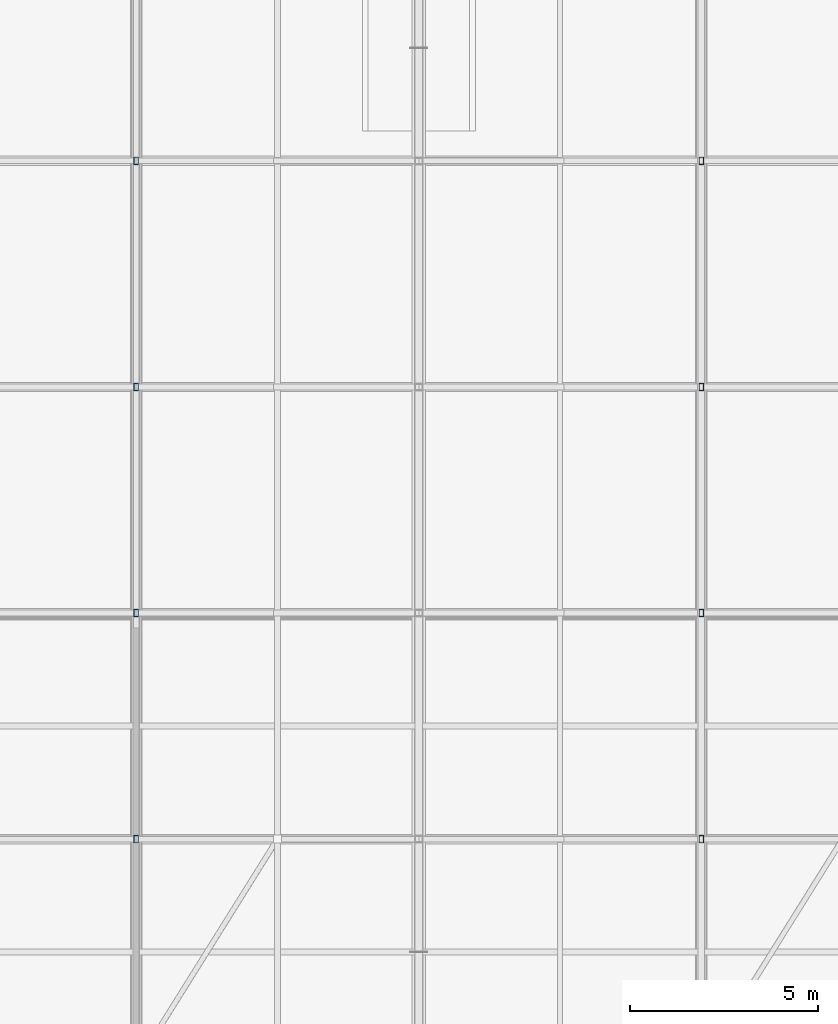
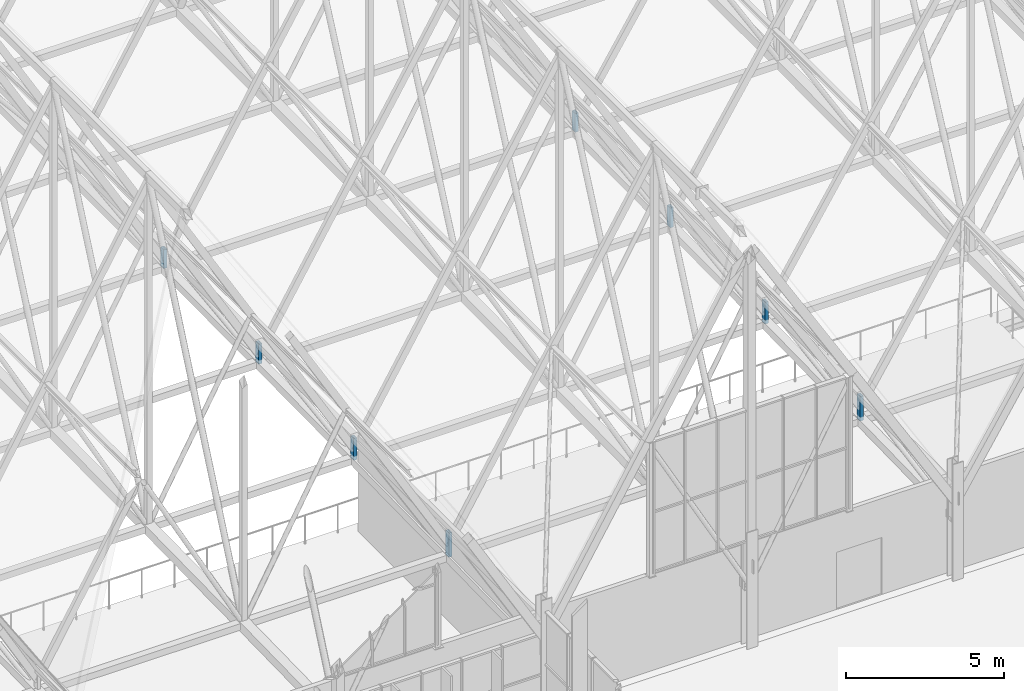
# One storey, part 257 of 324: 8 members.
"""IFC4 building model written with IfcOpenShell, lengths in metres."""

from ifc_helpers import new_model, si_unit, direction, frame, origin, origin_2d, place, context, subcontext, project, spatial, hollow_rectangle, extrude, material, material_profile, profile_set, type_object, element, save


model = new_model("IFC4")

# Units and contexts
model_context = context("Model", 3, precision=1e-05, world=origin(), true_north=direction((0.0, 1.0)))
body_context = subcontext(model_context, "Body", "Model", "MODEL_VIEW")
ifc_project = project(units=[si_unit("LENGTHUNIT", "METRE"), si_unit("AREAUNIT", "SQUARE_METRE"), si_unit("VOLUMEUNIT", "CUBIC_METRE"), si_unit("PLANEANGLEUNIT", "RADIAN"), si_unit("MASSUNIT", "GRAM", prefix="KILO")], contexts=[model_context])

# Site, building, storey
site_placement = place(None, origin())
site = spatial("IfcSite", under=ifc_project, at=site_placement, CompositionType="ELEMENT")
building_placement = place(site_placement, origin())
building = spatial("IfcBuilding", under=site, at=building_placement, Name="Solvenia Promenade Tram Depot", CompositionType="ELEMENT")
storey_placement = place(building_placement, frame((0.0, 0.0, 4.5)))
storey = spatial("IfcBuildingStorey", under=building, at=storey_placement, Name="L01", CompositionType="ELEMENT", Elevation=4.5)

# Members
ifc_material = material(Name="Structural steel ASTM A500 Gr. C", Category="steel")
ifc_material_profile = material_profile(ifc_material, hollow_rectangle(XDim=0.1201171875, YDim=0.199951171875, WallThickness=0.008056640625, at=origin_2d()), Name="HSS200x120x8", Category="steel")
ifc_profile_set = profile_set([ifc_material_profile], Name="Structural steel ASTM A500 Gr. C")
member_type = type_object("IfcMemberType", Name="Post-HSS200x120x8", PredefinedType="POST", material=ifc_profile_set)
member_1_placement = place(storey_placement, frame((105.0, 72.0, 2.446044921875), z_axis=(0.0, 0.0, 1.0), x_axis=(1.0, 0.0, 0.0)))
element("IfcMember", 1, at=member_1_placement, inside=storey, type_object=member_type, Name="Arched Truss T15 Web Post S01", PredefinedType="POST", context=body_context, shape_type="SweptSolid", body=[
    extrude(hollow_rectangle(XDim=0.1201171875, YDim=0.199951171875, WallThickness=0.008056640625, at=origin_2d()), origin(), (0.0, 0.0, 1.0), 0.933837890625),
])
member_2_placement = place(storey_placement, frame((105.0, 78.0, 2.5439453125), z_axis=(0.0, 0.0, 1.0), x_axis=(1.0, 0.0, 0.0)))
element("IfcMember", 2, at=member_2_placement, inside=storey, type_object=member_type, Name="Arched Truss T15 Web Post S02", PredefinedType="POST", context=body_context, shape_type="SweptSolid", body=[
    extrude(hollow_rectangle(XDim=0.1201171875, YDim=0.199951171875, WallThickness=0.008056640625, at=origin_2d()), origin(), (0.0, 0.0, 1.0), 0.8359375),
])
member_3_placement = place(storey_placement, frame((105.0, 84.0, 2.614013671875), z_axis=(0.0, 0.0, 1.0), x_axis=(1.0, 0.0, 0.0)))
element("IfcMember", 3, at=member_3_placement, inside=storey, type_object=member_type, Name="Arched Truss T15 Web Post S03", PredefinedType="POST", context=body_context, shape_type="SweptSolid", body=[
    extrude(hollow_rectangle(XDim=0.1201171875, YDim=0.199951171875, WallThickness=0.008056640625, at=origin_2d()), origin(), (0.0, 0.0, 1.0), 0.765869140625),
])
member_4_placement = place(storey_placement, frame((105.0, 90.0, 2.656005859375), z_axis=(0.0, 0.0, 1.0), x_axis=(1.0, 0.0, 0.0)))
element("IfcMember", 4, at=member_4_placement, inside=storey, type_object=member_type, Name="Arched Truss T15 Web Post S04", PredefinedType="POST", context=body_context, shape_type="SweptSolid", body=[
    extrude(hollow_rectangle(XDim=0.1201171875, YDim=0.199951171875, WallThickness=0.008056640625, at=origin_2d()), origin(), (0.0, 0.0, 1.0), 0.723876953125),
])
member_5_placement = place(storey_placement, frame((120.0, 72.0, 2.446044921875), z_axis=(0.0, 0.0, 1.0), x_axis=(1.0, 0.0, 0.0)))
element("IfcMember", 5, at=member_5_placement, inside=storey, type_object=member_type, Name="Arched Truss T17 Web Post S01", PredefinedType="POST", context=body_context, shape_type="SweptSolid", body=[
    extrude(hollow_rectangle(XDim=0.1201171875, YDim=0.199951171875, WallThickness=0.008056640625, at=origin_2d()), origin(), (0.0, 0.0, 1.0), 0.933837890625),
])
member_6_placement = place(storey_placement, frame((120.0, 78.0, 2.5439453125), z_axis=(0.0, 0.0, 1.0), x_axis=(1.0, 0.0, 0.0)))
element("IfcMember", 6, at=member_6_placement, inside=storey, type_object=member_type, Name="Arched Truss T17 Web Post S02", PredefinedType="POST", context=body_context, shape_type="SweptSolid", body=[
    extrude(hollow_rectangle(XDim=0.1201171875, YDim=0.199951171875, WallThickness=0.008056640625, at=origin_2d()), origin(), (0.0, 0.0, 1.0), 0.8359375),
])
member_7_placement = place(storey_placement, frame((120.0, 84.0, 2.614013671875), z_axis=(0.0, 0.0, 1.0), x_axis=(1.0, 0.0, 0.0)))
element("IfcMember", 7, at=member_7_placement, inside=storey, type_object=member_type, Name="Arched Truss T17 Web Post S03", PredefinedType="POST", context=body_context, shape_type="SweptSolid", body=[
    extrude(hollow_rectangle(XDim=0.1201171875, YDim=0.199951171875, WallThickness=0.008056640625, at=origin_2d()), origin(), (0.0, 0.0, 1.0), 0.765869140625),
])
member_8_placement = place(storey_placement, frame((120.0, 90.0, 2.656005859375), z_axis=(0.0, 0.0, 1.0), x_axis=(1.0, 0.0, 0.0)))
element("IfcMember", 8, at=member_8_placement, inside=storey, type_object=member_type, Name="Arched Truss T17 Web Post S04", PredefinedType="POST", context=body_context, shape_type="SweptSolid", body=[
    extrude(hollow_rectangle(XDim=0.1201171875, YDim=0.199951171875, WallThickness=0.008056640625, at=origin_2d()), origin(), (0.0, 0.0, 1.0), 0.723876953125),
])

save(model, "model.ifc")
